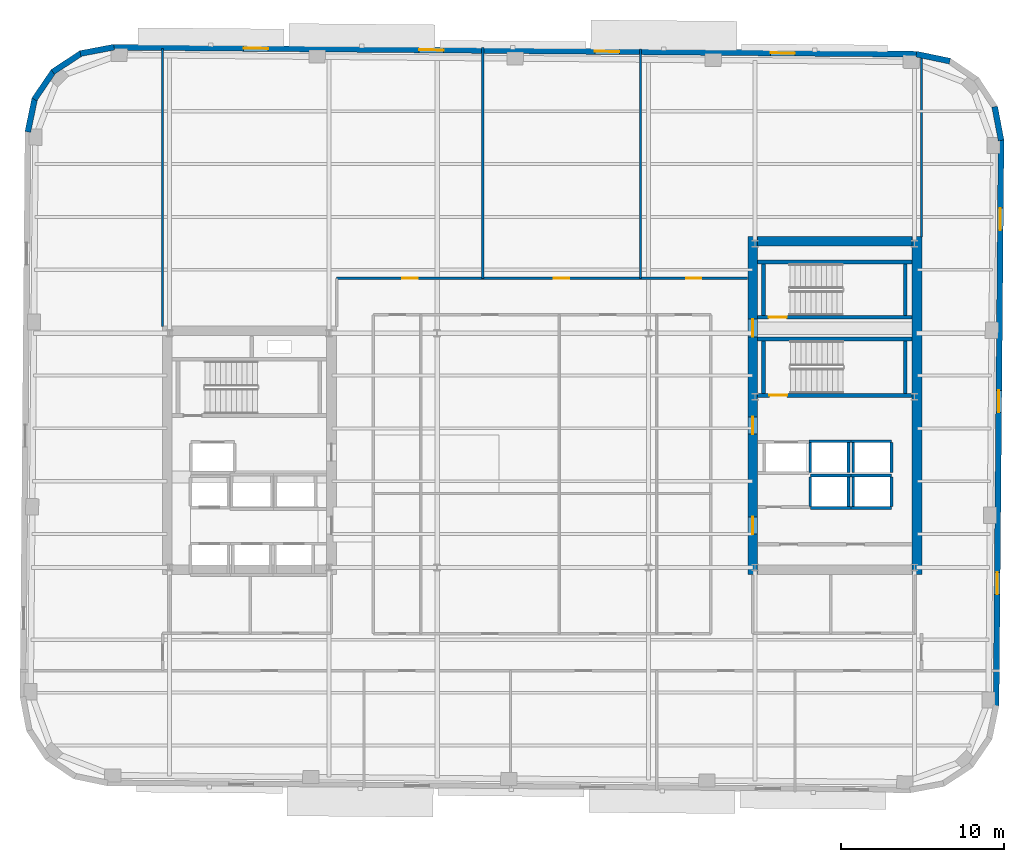
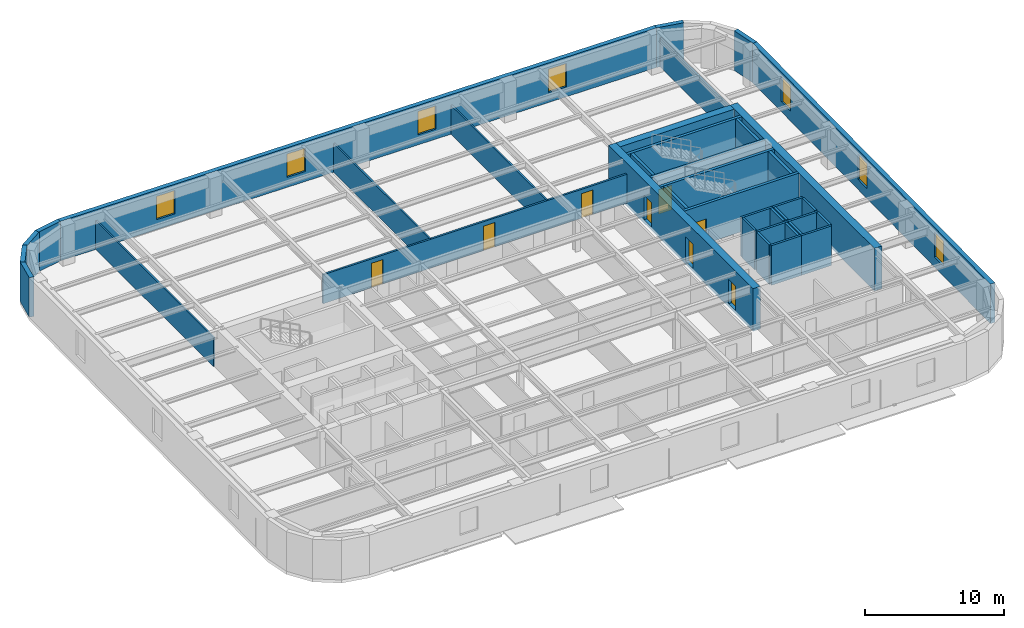
# One storey, part 6 of 11: 38 walls, 8 doors, 7 windows, 15 openings.
"""IFC4 building model written with IfcOpenShell, lengths in metres."""

from ifc_helpers import new_model, si_unit, direction, frame, frame_2d, origin, place, context, subcontext, project, spatial, rectangle, extrude, material, layer, layer_set, type_object, element, fill, save


model = new_model("IFC4")

# Units and contexts
model_context = context("Model", 3, precision=1e-05, world=origin(), true_north=direction((0.0, 1.0)))
body_context = subcontext(model_context, "Body", "Model", "MODEL_VIEW")
ifc_project = project(units=[si_unit("LENGTHUNIT", "METRE"), si_unit("AREAUNIT", "SQUARE_METRE"), si_unit("VOLUMEUNIT", "CUBIC_METRE"), si_unit("PLANEANGLEUNIT", "RADIAN"), si_unit("MASSUNIT", "GRAM", prefix="KILO")], contexts=[model_context])

# Site, building, storey
site_placement = place(None, origin())
site = spatial("IfcSite", under=ifc_project, at=site_placement, CompositionType="ELEMENT")
building_placement = place(site_placement, origin())
building = spatial("IfcBuilding", under=site, at=building_placement, Name="Kolvaren Arena Tower", CompositionType="ELEMENT")
storey_placement = place(building_placement, frame((0.0, 0.0, 173.449951171875)))
storey = spatial("IfcBuildingStorey", under=building, at=storey_placement, Name="L41", CompositionType="ELEMENT", Elevation=173.449951171875)

# Wall, openings, doors
ifc_material_1 = material(Name="Gypsum board acoustic assembly", Category="gypsum")
ifc_layer_1 = layer(ifc_material_1, 0.159912109375)
ifc_layer_set_1 = layer_set([ifc_layer_1], Name="Gypsum board acoustic assembly")
wall_type_1 = type_object("IfcWallType", Name="CORR-160", PredefinedType="PARTITIONING", material=ifc_layer_set_1)
wall_1_placement = place(storey_placement, frame((24.820068359375, 37.219970703125, 0.0), z_axis=(0.0, 0.0, 1.0), x_axis=(1.0, 0.0, 0.0)))
wall_1 = element("IfcWall", 1, at=wall_1_placement, inside=storey, type_object=wall_type_1, Name="Interior Partition Wall (L41)", PredefinedType="PARTITIONING", context=body_context, shape_type="SweptSolid", body=[
    extrude(rectangle(XDim=25.260009765625, YDim=0.159912109375, at=frame_2d((12.6298828125, 0.0))), origin(), (0.0, 0.0, 1.0), 2.5400390625),
])
opening_1_placement = place(wall_1_placement, frame((4.030029296875, 0.0, 0.0)))
opening_1 = element("IfcOpeningElement", 2, at=opening_1_placement, cuts=wall_1, Name="Opening D05", PredefinedType="OPENING", context=body_context, shape_type="SweptSolid", body=[
    extrude(rectangle(XDim=0.949951171875, YDim=2.14990234375, at=frame_2d((0.47509765625, 1.074951171875))), frame((0.0, 0.08984375, 0.0), z_axis=(0.0, -1.0, 0.0), x_axis=(1.0, 0.0, 0.0)), (0.0, 0.0, 1.0), 0.179931640625),
])
opening_2_placement = place(wall_1_placement, frame((13.35498046875, 0.0, 0.0)))
opening_2 = element("IfcOpeningElement", 3, at=opening_2_placement, cuts=wall_1, Name="Opening D05", PredefinedType="OPENING", context=body_context, shape_type="SweptSolid", body=[
    extrude(rectangle(XDim=0.949951171875, YDim=2.14990234375, at=frame_2d((0.47509765625, 1.074951171875))), frame((0.0, 0.08984375, 0.0), z_axis=(0.0, -1.0, 0.0), x_axis=(1.0, 0.0, 0.0)), (0.0, 0.0, 1.0), 0.179931640625),
])
opening_3_placement = place(wall_1_placement, frame((21.47998046875, 0.0, 0.0)))
opening_3 = element("IfcOpeningElement", 4, at=opening_3_placement, cuts=wall_1, Name="Opening D05", PredefinedType="OPENING", context=body_context, shape_type="SweptSolid", body=[
    extrude(rectangle(XDim=0.949951171875, YDim=2.14990234375, at=frame_2d((0.47509765625, 1.074951171875))), frame((0.0, 0.08984375, 0.0), z_axis=(0.0, -1.0, 0.0), x_axis=(1.0, 0.0, 0.0)), (0.0, 0.0, 1.0), 0.179931640625),
])
ifc_material_2 = material(Name="Solid-core oak acoustic office door", Category="wood")
door_type_1 = type_object("IfcDoorType", Name="DOOR-OF-095", OperationType="NOTDEFINED", PredefinedType="DOOR", material=ifc_material_2)
door_1_placement = place(opening_1_placement, origin())
door_1 = element("IfcDoor", 5, at=door_1_placement, inside=storey, type_object=door_type_1, Name="Breakout Pantry and Kitchen Door (L41)", OperationType="SINGLE_SWING_RIGHT", OverallHeight=2.14990234375, OverallWidth=0.949951171875, PredefinedType="DOOR", context=body_context, shape_type="SweptSolid", body=[
    extrude(rectangle(XDim=0.949951171875, YDim=2.14990234375, at=frame_2d((0.47509765625, 1.074951171875))), frame((0.0, 0.02490234375, 0.0), z_axis=(0.0, -1.0, 0.0), x_axis=(1.0, 0.0, 0.0)), (0.0, 0.0, 1.0), 0.050048828125),
])
fill(opening_1, door_1)
door_2_placement = place(opening_2_placement, origin())
door_2 = element("IfcDoor", 6, at=door_2_placement, inside=storey, type_object=door_type_1, Name="Open Plan Office Door (L41)", OperationType="SINGLE_SWING_LEFT", OverallHeight=2.14990234375, OverallWidth=0.949951171875, PredefinedType="DOOR", context=body_context, shape_type="SweptSolid", body=[
    extrude(rectangle(XDim=0.949951171875, YDim=2.14990234375, at=frame_2d((0.47509765625, 1.074951171875))), frame((0.0, 0.02490234375, 0.0), z_axis=(0.0, -1.0, 0.0), x_axis=(1.0, 0.0, 0.0)), (0.0, 0.0, 1.0), 0.050048828125),
])
fill(opening_2, door_2)
door_3_placement = place(opening_3_placement, origin())
door_3 = element("IfcDoor", 7, at=door_3_placement, inside=storey, type_object=door_type_1, Name="Training Seminar Room Door (L41)", OperationType="SINGLE_SWING_RIGHT", OverallHeight=2.14990234375, OverallWidth=0.949951171875, PredefinedType="DOOR", context=body_context, shape_type="SweptSolid", body=[
    extrude(rectangle(XDim=0.949951171875, YDim=2.14990234375, at=frame_2d((0.47509765625, 1.074951171875))), frame((0.0, 0.02490234375, 0.0), z_axis=(0.0, -1.0, 0.0), x_axis=(1.0, 0.0, 0.0)), (0.0, 0.0, 1.0), 0.050048828125),
])
fill(opening_3, door_3)

ifc_material_3 = material(Name="Concrete 60 MPa", Category="concrete")
ifc_layer_2 = layer(ifc_material_3, 0.60009765625)
ifc_layer_set_2 = layer_set([ifc_layer_2], Name="Concrete 60 MPa")
wall_type_2 = type_object("IfcWallType", Name="CWALL-600", PredefinedType="SHEAR", material=ifc_layer_set_2)
wall_2_placement = place(storey_placement, frame((50.39990234375, 19.0, -0.27001953125), z_axis=(0.0, 0.0, 1.0), x_axis=(0.0, 1.0, 0.0)))
wall_2 = element("IfcWall", 8, at=wall_2_placement, inside=storey, type_object=wall_type_2, Name="Core Shear Wall EC-WEST (L41)", PredefinedType="SHEAR", context=body_context, shape_type="SweptSolid", body=[
    extrude(rectangle(XDim=20.800048828125, YDim=0.60009765625, at=frame_2d((10.39990234375, 0.0))), origin(), (0.0, 0.0, 1.0), 3.75),
])
opening_4_placement = place(wall_2_placement, frame((2.5, 0.0, 0.27001953125)))
opening_4 = element("IfcOpeningElement", 9, at=opening_4_placement, cuts=wall_2, Name="Opening D04", PredefinedType="OPENING", context=body_context, shape_type="SweptSolid", body=[
    extrude(rectangle(XDim=1.050048828125, YDim=2.14990234375, at=frame_2d((0.52490234375, 1.074951171875))), frame((0.0, 0.31005859375, 0.0), z_axis=(0.0, -1.0, 0.0), x_axis=(1.0, 0.0, 0.0)), (0.0, 0.0, 1.0), 0.6201171875),
])
opening_5_placement = place(wall_2_placement, frame((8.64990234375, 0.0, 0.27001953125)))
opening_5 = element("IfcOpeningElement", 10, at=opening_5_placement, cuts=wall_2, Name="Opening D04", PredefinedType="OPENING", context=body_context, shape_type="SweptSolid", body=[
    extrude(rectangle(XDim=1.050048828125, YDim=2.14990234375, at=frame_2d((0.52490234375, 1.074951171875))), frame((0.0, 0.31005859375, 0.0), z_axis=(0.0, -1.0, 0.0), x_axis=(1.0, 0.0, 0.0)), (0.0, 0.0, 1.0), 0.6201171875),
])
opening_6_placement = place(wall_2_placement, frame((14.6201171875, 0.0, 0.27001953125)))
opening_6 = element("IfcOpeningElement", 11, at=opening_6_placement, cuts=wall_2, Name="Opening D03", PredefinedType="OPENING", context=body_context, shape_type="SweptSolid", body=[
    extrude(rectangle(XDim=1.10009765625, YDim=2.14990234375, at=frame_2d((0.550048828125, 1.074951171875))), frame((0.0, 0.31005859375, 0.0), z_axis=(0.0, -1.0, 0.0), x_axis=(1.0, 0.0, 0.0)), (0.0, 0.0, 1.0), 0.6201171875),
])
ifc_material_4 = material(Name="Fire-rated steel lobby door", Category="steel")
door_type_2 = type_object("IfcDoorType", Name="DOOR-FF-105", OperationType="NOTDEFINED", PredefinedType="DOOR", material=ifc_material_4)
door_4_placement = place(opening_4_placement, origin())
door_4 = element("IfcDoor", 12, at=door_4_placement, inside=storey, type_object=door_type_2, Name="East Lift Lobby Fire Door (L41)", OperationType="SINGLE_SWING_RIGHT", OverallHeight=2.14990234375, OverallWidth=1.050048828125, PredefinedType="DOOR", context=body_context, shape_type="SweptSolid", body=[
    extrude(rectangle(XDim=1.050048828125, YDim=2.14990234375, at=frame_2d((0.52490234375, 1.074951171875))), frame((0.0, 0.02490234375, 0.0), z_axis=(0.0, -1.0, 0.0), x_axis=(1.0, 0.0, 0.0)), (0.0, 0.0, 1.0), 0.050048828125),
])
fill(opening_4, door_4)
door_5_placement = place(opening_5_placement, origin())
door_5 = element("IfcDoor", 13, at=door_5_placement, inside=storey, type_object=door_type_2, Name="East Firefighter Vestibule Door (L41)", OperationType="SINGLE_SWING_LEFT", OverallHeight=2.14990234375, OverallWidth=1.050048828125, PredefinedType="DOOR", context=body_context, shape_type="SweptSolid", body=[
    extrude(rectangle(XDim=1.050048828125, YDim=2.14990234375, at=frame_2d((0.52490234375, 1.074951171875))), frame((0.0, 0.02490234375, 0.0), z_axis=(0.0, -1.0, 0.0), x_axis=(1.0, 0.0, 0.0)), (0.0, 0.0, 1.0), 0.050048828125),
])
fill(opening_5, door_5)
ifc_material_5 = material(Name="Fire-rated steel exit stair door", Category="steel")
door_type_3 = type_object("IfcDoorType", Name="DOOR-ST-110", OperationType="NOTDEFINED", PredefinedType="DOOR", material=ifc_material_5)
door_6_placement = place(opening_6_placement, origin())
door_6 = element("IfcDoor", 14, at=door_6_placement, inside=storey, type_object=door_type_3, Name="Stair ST-E2 Vestibule Fire Door (L41)", OperationType="SINGLE_SWING_LEFT", OverallHeight=2.14990234375, OverallWidth=1.10009765625, PredefinedType="DOOR", context=body_context, shape_type="SweptSolid", body=[
    extrude(rectangle(XDim=1.10009765625, YDim=2.14990234375, at=frame_2d((0.550048828125, 1.074951171875))), frame((0.0, 0.02490234375, 0.0), z_axis=(0.0, -1.0, 0.0), x_axis=(1.0, 0.0, 0.0)), (0.0, 0.0, 1.0), 0.050048828125),
])
fill(opening_6, door_6)

# Walls
wall_3_placement = place(storey_placement, frame((60.5, 19.0, -0.27001953125), z_axis=(0.0, 0.0, 1.0), x_axis=(0.0, 1.0, 0.0)))
element("IfcWall", 15, at=wall_3_placement, inside=storey, type_object=wall_type_2, Name="Core Shear Wall EC-EAST (L41)", PredefinedType="SHEAR", context=body_context, shape_type="SweptSolid", body=[
    extrude(rectangle(XDim=20.800048828125, YDim=0.60009765625, at=frame_2d((10.39990234375, 0.0))), origin(), (0.0, 0.0, 1.0), 3.75),
])
wall_4_placement = place(storey_placement, frame((50.699951171875, 39.5, -0.27001953125), z_axis=(0.0, 0.0, 1.0), x_axis=(1.0, 0.0, 0.0)))
element("IfcWall", 16, at=wall_4_placement, inside=storey, type_object=wall_type_2, Name="Core Shear Wall EC-NORTH (L41)", PredefinedType="SHEAR", context=body_context, shape_type="SweptSolid", body=[
    extrude(rectangle(XDim=9.5, YDim=0.60009765625, at=frame_2d((4.75, 0.0))), origin(), (0.0, 0.0, 1.0), 3.75),
])

# Wall, openings, windows
ifc_material_6 = material(Name="Precast concrete C50/60", Category="concrete")
ifc_layer_3 = layer(ifc_material_6, 0.360107421875)
ifc_layer_set_3 = layer_set([ifc_layer_3], Name="Precast concrete C50/60")
wall_type_3 = type_object("IfcWallType", Name="EXT-PIER2", PredefinedType="SOLIDWALL", material=ifc_layer_set_3)
wall_5_placement = place(storey_placement, frame((65.670654296875, 45.73828125, 0.0), z_axis=(0.0, 0.0, 1.0), x_axis=(-0.008727348535, -0.999961915969, 0.0)))
wall_5 = element("IfcWall", 17, at=wall_5_placement, inside=storey, type_object=wall_type_3, Name="Exterior Precast Masonry-Frame Wall (L41)", PredefinedType="SOLIDWALL", context=body_context, shape_type="SweptSolid", body=[
    extrude(rectangle(XDim=34.7998046875, YDim=0.360107421875, at=frame_2d((17.39990234375, 0.0))), origin(), (0.0, 0.0, 1.0), 3.47998046875),
])
opening_7_placement = place(wall_5_placement, frame((4.199951171875, 0.0, 0.8798828125)))
opening_7 = element("IfcOpeningElement", 18, at=opening_7_placement, cuts=wall_5, Name="Opening W04", PredefinedType="OPENING", context=body_context, shape_type="SweptSolid", body=[
    extrude(rectangle(XDim=1.35009765625, YDim=2.199951171875, at=frame_2d((0.675048828125, 1.10009765625))), frame((0.0, 0.18994140625, 0.0), z_axis=(0.0, -1.0, 0.0), x_axis=(1.0, 0.0, 0.0)), (0.0, 0.0, 1.0), 0.380126953125),
])
opening_8_placement = place(wall_5_placement, frame((15.39990234375, 0.0, 0.8798828125)))
opening_8 = element("IfcOpeningElement", 19, at=opening_8_placement, cuts=wall_5, Name="Opening W04", PredefinedType="OPENING", context=body_context, shape_type="SweptSolid", body=[
    extrude(rectangle(XDim=1.35009765625, YDim=2.199951171875, at=frame_2d((0.675048828125, 1.10009765625))), frame((0.0, 0.18994140625, 0.0), z_axis=(0.0, -1.0, 0.0), x_axis=(1.0, 0.0, 0.0)), (0.0, 0.0, 1.0), 0.380126953125),
])
opening_9_placement = place(wall_5_placement, frame((26.60009765625, 0.0, 0.8798828125)))
opening_9 = element("IfcOpeningElement", 20, at=opening_9_placement, cuts=wall_5, Name="Opening W04", PredefinedType="OPENING", context=body_context, shape_type="SweptSolid", body=[
    extrude(rectangle(XDim=1.35009765625, YDim=2.199951171875, at=frame_2d((0.675048828125, 1.10009765625))), frame((0.0, 0.18994140625, 0.0), z_axis=(0.0, -1.0, 0.0), x_axis=(1.0, 0.0, 0.0)), (0.0, 0.0, 1.0), 0.380126953125),
])
ifc_material_7 = material(Name="Triple-glazed curved-facet corner window", Category="glass")
window_type_1 = type_object("IfcWindowType", Name="WIN-CRN-A", PartitioningType="SINGLE_PANEL", PredefinedType="WINDOW", material=ifc_material_7)
window_1_placement = place(opening_7_placement, origin())
window_1 = element("IfcWindow", 21, at=window_1_placement, inside=storey, type_object=window_type_1, Name="End-Wall Punched Window (L41)", OverallHeight=2.199951171875, OverallWidth=1.35009765625, PartitioningType="SINGLE_PANEL", PredefinedType="WINDOW", context=body_context, shape_type="SweptSolid", body=[
    extrude(rectangle(XDim=1.35009765625, YDim=2.199951171875, at=frame_2d((0.675048828125, 1.10009765625))), frame((0.0, 0.030029296875, 0.0), z_axis=(0.0, -1.0, 0.0), x_axis=(1.0, 0.0, 0.0)), (0.0, 0.0, 1.0), 0.06005859375),
])
fill(opening_7, window_1)
window_2_placement = place(opening_8_placement, origin())
window_2 = element("IfcWindow", 22, at=window_2_placement, inside=storey, type_object=window_type_1, Name="End-Wall Punched Window (L41)", OverallHeight=2.199951171875, OverallWidth=1.35009765625, PartitioningType="SINGLE_PANEL", PredefinedType="WINDOW", context=body_context, shape_type="SweptSolid", body=[
    extrude(rectangle(XDim=1.35009765625, YDim=2.199951171875, at=frame_2d((0.675048828125, 1.10009765625))), frame((0.0, 0.030029296875, 0.0), z_axis=(0.0, -1.0, 0.0), x_axis=(1.0, 0.0, 0.0)), (0.0, 0.0, 1.0), 0.06005859375),
])
fill(opening_8, window_2)
window_3_placement = place(opening_9_placement, origin())
window_3 = element("IfcWindow", 23, at=window_3_placement, inside=storey, type_object=window_type_1, Name="End-Wall Punched Window (L41)", OverallHeight=2.199951171875, OverallWidth=1.35009765625, PartitioningType="SINGLE_PANEL", PredefinedType="WINDOW", context=body_context, shape_type="SweptSolid", body=[
    extrude(rectangle(XDim=1.35009765625, YDim=2.199951171875, at=frame_2d((0.675048828125, 1.10009765625))), frame((0.0, 0.030029296875, 0.0), z_axis=(0.0, -1.0, 0.0), x_axis=(1.0, 0.0, 0.0)), (0.0, 0.0, 1.0), 0.06005859375),
])
fill(opening_9, window_3)

# Walls
wall_6_placement = place(storey_placement, frame((65.281005859375, 47.773193359375, 0.0), z_axis=(0.0, 0.0, 1.0), x_axis=(0.186435855703, -0.98246713518, 0.0)))
element("IfcWall", 24, at=wall_6_placement, inside=storey, type_object=wall_type_3, Name="Exterior Precast Masonry-Frame Wall (L41)", PredefinedType="SOLIDWALL", context=body_context, shape_type="SweptSolid", body=[
    extrude(rectangle(XDim=2.10693359375, YDim=0.360107421875, at=frame_2d((1.053466796875, 0.0))), origin(), (0.0, 0.0, 1.0), 3.47998046875),
])
wall_7_placement = place(storey_placement, frame((60.461181640625, 51.00732421875, 0.0), z_axis=(0.0, 0.0, 1.0), x_axis=(0.979059388908, -0.203574833883, 0.0)))
element("IfcWall", 25, at=wall_7_placement, inside=storey, type_object=wall_type_3, Name="Exterior Precast Masonry-Frame Wall (L41)", PredefinedType="SOLIDWALL", context=body_context, shape_type="SweptSolid", body=[
    extrude(rectangle(XDim=2.107177734375, YDim=0.360107421875, at=frame_2d((1.0537109375, 0.0))), origin(), (0.0, 0.0, 1.0), 3.47998046875),
])

# Wall, openings, windows
wall_8_placement = place(storey_placement, frame((11.098388671875, 51.434814453125, 0.0), z_axis=(0.0, 0.0, 1.0), x_axis=(0.99996191194, -0.008727810138, 0.0)))
wall_8 = element("IfcWall", 26, at=wall_8_placement, inside=storey, type_object=wall_type_3, Name="Exterior Precast Masonry-Frame Wall (L41)", PredefinedType="SOLIDWALL", context=body_context, shape_type="SweptSolid", body=[
    extrude(rectangle(XDim=49.39990234375, YDim=0.360107421875, at=frame_2d((24.699951171875, 0.0))), origin(), (0.0, 0.0, 1.0), 3.47998046875),
])
opening_10_placement = place(wall_8_placement, frame((8.0, 0.0, 0.8798828125)))
opening_10 = element("IfcOpeningElement", 27, at=opening_10_placement, cuts=wall_8, Name="Opening W03", PredefinedType="OPENING", context=body_context, shape_type="SweptSolid", body=[
    extrude(rectangle(XDim=1.5, YDim=2.050048828125, at=frame_2d((0.75, 1.02490234375))), frame((0.0, 0.18994140625, 0.0), z_axis=(0.0, -1.0, 0.0), x_axis=(1.0, 0.0, 0.0)), (0.0, 0.0, 1.0), 0.380126953125),
])
opening_11_placement = place(wall_8_placement, frame((18.800048828125, 0.0, 0.8798828125)))
opening_11 = element("IfcOpeningElement", 28, at=opening_11_placement, cuts=wall_8, Name="Opening W03", PredefinedType="OPENING", context=body_context, shape_type="SweptSolid", body=[
    extrude(rectangle(XDim=1.5, YDim=2.050048828125, at=frame_2d((0.75, 1.02490234375))), frame((0.0, 0.18994140625, 0.0), z_axis=(0.0, -1.0, 0.0), x_axis=(1.0, 0.0, 0.0)), (0.0, 0.0, 1.0), 0.380126953125),
])
opening_12_placement = place(wall_8_placement, frame((29.60009765625, 0.0, 0.8798828125)))
opening_12 = element("IfcOpeningElement", 29, at=opening_12_placement, cuts=wall_8, Name="Opening W03", PredefinedType="OPENING", context=body_context, shape_type="SweptSolid", body=[
    extrude(rectangle(XDim=1.5, YDim=2.050048828125, at=frame_2d((0.75, 1.02490234375))), frame((0.0, 0.18994140625, 0.0), z_axis=(0.0, -1.0, 0.0), x_axis=(1.0, 0.0, 0.0)), (0.0, 0.0, 1.0), 0.380126953125),
])
opening_13_placement = place(wall_8_placement, frame((40.39990234375, 0.0, 0.8798828125)))
opening_13 = element("IfcOpeningElement", 30, at=opening_13_placement, cuts=wall_8, Name="Opening W03", PredefinedType="OPENING", context=body_context, shape_type="SweptSolid", body=[
    extrude(rectangle(XDim=1.5, YDim=2.050048828125, at=frame_2d((0.75, 1.02490234375))), frame((0.0, 0.18994140625, 0.0), z_axis=(0.0, -1.0, 0.0), x_axis=(1.0, 0.0, 0.0)), (0.0, 0.0, 1.0), 0.380126953125),
])
ifc_material_8 = material(Name="Triple-glazed low-E aluminium window", Category="aluminium")
window_type_2 = type_object("IfcWindowType", Name="WIN-OFF-C", PartitioningType="SINGLE_PANEL", PredefinedType="WINDOW", material=ifc_material_8)
window_4_placement = place(opening_10_placement, origin())
window_4 = element("IfcWindow", 31, at=window_4_placement, inside=storey, type_object=window_type_2, Name="Punched Precast-Pier Window (L41)", OverallHeight=2.050048828125, OverallWidth=1.5, PartitioningType="SINGLE_PANEL", PredefinedType="WINDOW", context=body_context, shape_type="SweptSolid", body=[
    extrude(rectangle(XDim=1.5, YDim=2.050048828125, at=frame_2d((0.75, 1.02490234375))), frame((0.0, 0.030029296875, 0.0), z_axis=(0.0, -1.0, 0.0), x_axis=(1.0, 0.0, 0.0)), (0.0, 0.0, 1.0), 0.06005859375),
])
fill(opening_10, window_4)
window_5_placement = place(opening_11_placement, origin())
window_5 = element("IfcWindow", 32, at=window_5_placement, inside=storey, type_object=window_type_2, Name="Punched Precast-Pier Window (L41)", OverallHeight=2.050048828125, OverallWidth=1.5, PartitioningType="SINGLE_PANEL", PredefinedType="WINDOW", context=body_context, shape_type="SweptSolid", body=[
    extrude(rectangle(XDim=1.5, YDim=2.050048828125, at=frame_2d((0.75, 1.02490234375))), frame((0.0, 0.030029296875, 0.0), z_axis=(0.0, -1.0, 0.0), x_axis=(1.0, 0.0, 0.0)), (0.0, 0.0, 1.0), 0.06005859375),
])
fill(opening_11, window_5)
window_6_placement = place(opening_12_placement, origin())
window_6 = element("IfcWindow", 33, at=window_6_placement, inside=storey, type_object=window_type_2, Name="Punched Precast-Pier Window (L41)", OverallHeight=2.050048828125, OverallWidth=1.5, PartitioningType="SINGLE_PANEL", PredefinedType="WINDOW", context=body_context, shape_type="SweptSolid", body=[
    extrude(rectangle(XDim=1.5, YDim=2.050048828125, at=frame_2d((0.75, 1.02490234375))), frame((0.0, 0.030029296875, 0.0), z_axis=(0.0, -1.0, 0.0), x_axis=(1.0, 0.0, 0.0)), (0.0, 0.0, 1.0), 0.06005859375),
])
fill(opening_12, window_6)
window_7_placement = place(opening_13_placement, origin())
window_7 = element("IfcWindow", 34, at=window_7_placement, inside=storey, type_object=window_type_2, Name="Punched Precast-Pier Window (L41)", OverallHeight=2.050048828125, OverallWidth=1.5, PartitioningType="SINGLE_PANEL", PredefinedType="WINDOW", context=body_context, shape_type="SweptSolid", body=[
    extrude(rectangle(XDim=1.5, YDim=2.050048828125, at=frame_2d((0.75, 1.02490234375))), frame((0.0, 0.030029296875, 0.0), z_axis=(0.0, -1.0, 0.0), x_axis=(1.0, 0.0, 0.0)), (0.0, 0.0, 1.0), 0.06005859375),
])
fill(opening_13, window_7)

# Walls
wall_9_placement = place(storey_placement, frame((9.0634765625, 51.044921875, 0.0), z_axis=(0.0, 0.0, 1.0), x_axis=(0.982445905584, 0.186547695246, 0.0)))
element("IfcWall", 35, at=wall_9_placement, inside=storey, type_object=wall_type_3, Name="Exterior Precast Masonry-Frame Wall (L41)", PredefinedType="SOLIDWALL", context=body_context, shape_type="SweptSolid", body=[
    extrude(rectangle(XDim=2.107177734375, YDim=0.360107421875, at=frame_2d((1.0537109375, 0.0))), origin(), (0.0, 0.0, 1.0), 3.47998046875),
])
for number, where, z_axis, x_axis, name in (
    (36, (7.36669921875, 49.916015625, 0.0), (0.0, 0.0, 1.0), (0.836268756678, 0.548319766745, 0.0), "Exterior Precast Masonry-Frame Wall (L41)"),
    (37, (6.23095703125, 48.223388671875, 0.0), (0.0, 0.0, 1.0), (0.56277581689, 0.826609569219, 0.0), "Exterior Precast Masonry-Frame Wall (L41)"),
    (38, (5.8291015625, 46.225341796875, 0.0), (0.0, 0.0, 1.0), (0.203709000552, 0.979031482177, 0.0), "Exterior Precast Masonry-Frame Wall (L41)"),
):
    element("IfcWall", number, at=place(storey_placement, frame(where, z_axis=z_axis, x_axis=x_axis)), inside=storey, type_object=wall_type_3, Name=name, PredefinedType="SOLIDWALL", context=body_context, shape_type="SweptSolid", body=[
        extrude(rectangle(XDim=2.10693359375, YDim=0.360107421875, at=frame_2d((1.053466796875, 0.0))), origin(), (0.0, 0.0, 1.0), 3.47998046875),
    ])
ifc_material_9 = material(Name="Gypsum board partition assembly", Category="gypsum")
ifc_layer_4 = layer(ifc_material_9, 0.135009765625)
ifc_layer_set_4 = layer_set([ifc_layer_4], Name="Gypsum board partition assembly")
wall_type_4 = type_object("IfcWallType", Name="PART-135", PredefinedType="PARTITIONING", material=ifc_layer_set_4)
wall_10_placement = place(storey_placement, frame((33.800048828125, 37.219970703125, 0.0), z_axis=(0.0, 0.0, 1.0), x_axis=(0.0, 1.0, 0.0)))
element("IfcWall", 39, at=wall_10_placement, inside=storey, type_object=wall_type_4, Name="Interior Partition Wall (L41)", PredefinedType="PARTITIONING", context=body_context, shape_type="SweptSolid", body=[
    extrude(rectangle(XDim=14.196533203125, YDim=0.135009765625, at=frame_2d((7.09814453125, 0.0))), origin(), (0.0, 0.0, 1.0), 2.5400390625),
])
wall_11_placement = place(storey_placement, frame((43.5, 37.219970703125, 0.0), z_axis=(0.0, 0.0, 1.0), x_axis=(0.0, 1.0, 0.0)))
element("IfcWall", 40, at=wall_11_placement, inside=storey, type_object=wall_type_4, Name="Interior Partition Wall (L41)", PredefinedType="PARTITIONING", context=body_context, shape_type="SweptSolid", body=[
    extrude(rectangle(XDim=14.11181640625, YDim=0.135009765625, at=frame_2d((7.055908203125, 0.0))), origin(), (0.0, 0.0, 1.0), 2.5400390625),
])
wall_12_placement = place(storey_placement, frame((14.1201171875, 34.25, 0.0), z_axis=(0.0, 0.0, 1.0), x_axis=(0.0, 1.0, 0.0)))
element("IfcWall", 41, at=wall_12_placement, inside=storey, type_object=wall_type_4, Name="Interior Partition Wall (L41)", PredefinedType="PARTITIONING", context=body_context, shape_type="SweptSolid", body=[
    extrude(rectangle(XDim=17.098388671875, YDim=0.135009765625, at=frame_2d((8.54931640625, 0.0))), origin(), (0.0, 0.0, 1.0), 2.5400390625),
])
wall_13_placement = place(storey_placement, frame((60.780029296875, 39.75, 0.0), z_axis=(0.0, 0.0, 1.0), x_axis=(0.0, 1.0, 0.0)))
element("IfcWall", 42, at=wall_13_placement, inside=storey, type_object=wall_type_4, Name="Interior Partition Wall (L41)", PredefinedType="PARTITIONING", context=body_context, shape_type="SweptSolid", body=[
    extrude(rectangle(XDim=11.1298828125, YDim=0.135009765625, at=frame_2d((5.56494140625, 0.0))), origin(), (0.0, 0.0, 1.0), 2.5400390625),
])

# Wall, opening, door
ifc_material_10 = material(Name="Concrete 45 MPa", Category="concrete")
ifc_layer_5 = layer(ifc_material_10, 0.25)
ifc_layer_set_5 = layer_set([ifc_layer_5], Name="Concrete 45 MPa")
wall_type_5 = type_object("IfcWallType", Name="SHAFT-250", PredefinedType="SOLIDWALL", material=ifc_layer_set_5)
wall_14_placement = place(storey_placement, frame((60.199951171875, 30.030029296875, 0.0), z_axis=(0.0, 0.0, 1.0), x_axis=(-1.0, 0.0, 0.0)))
wall_14 = element("IfcWall", 43, at=wall_14_placement, inside=storey, type_object=wall_type_5, Name="Core Shaft Wall (L41)", PredefinedType="SOLIDWALL", context=body_context, shape_type="SweptSolid", body=[
    extrude(rectangle(XDim=9.5, YDim=0.239990234375, at=frame_2d((4.75, 0.0))), origin(), (0.0, 0.0, 1.0), 3.47998046875),
])
opening_14_placement = place(wall_14_placement, frame((7.679931640625, 0.0, 0.0)))
opening_14 = element("IfcOpeningElement", 44, at=opening_14_placement, cuts=wall_14, Name="Opening D03", PredefinedType="OPENING", context=body_context, shape_type="SweptSolid", body=[
    extrude(rectangle(XDim=1.10009765625, YDim=2.14990234375, at=frame_2d((0.550048828125, 1.074951171875))), frame((0.0, 0.1298828125, 0.0), z_axis=(0.0, -1.0, 0.0), x_axis=(1.0, 0.0, 0.0)), (0.0, 0.0, 1.0), 0.260009765625),
])
door_7_placement = place(opening_14_placement, origin())
door_7 = element("IfcDoor", 45, at=door_7_placement, inside=storey, type_object=door_type_3, Name="Stair ST-E1 Fire Door (L41)", OperationType="SINGLE_SWING_LEFT", OverallHeight=2.14990234375, OverallWidth=1.10009765625, PredefinedType="DOOR", context=body_context, shape_type="SweptSolid", body=[
    extrude(rectangle(XDim=1.10009765625, YDim=2.14990234375, at=frame_2d((0.550048828125, 1.074951171875))), frame((0.0, 0.02490234375, 0.0), z_axis=(0.0, -1.0, 0.0), x_axis=(1.0, 0.0, 0.0)), (0.0, 0.0, 1.0), 0.050048828125),
])
fill(opening_14, door_7)

# Walls
wall_15_placement = place(storey_placement, frame((50.699951171875, 33.5, 0.0), z_axis=(0.0, 0.0, 1.0), x_axis=(1.0, 0.0, 0.0)))
element("IfcWall", 46, at=wall_15_placement, inside=storey, type_object=wall_type_5, Name="Core Shaft Wall (L41)", PredefinedType="SOLIDWALL", context=body_context, shape_type="SweptSolid", body=[
    extrude(rectangle(XDim=9.5, YDim=0.239990234375, at=frame_2d((4.75, 0.0))), origin(), (0.0, 0.0, 1.0), 3.47998046875),
])
for number, where, z_axis, x_axis, name in (
    (47, (51.06005859375, 30.14990234375, 0.0), (0.0, 0.0, 1.0), (0.0, 1.0, 0.0), "Core Shaft Wall (L41)"),
    (48, (59.780029296875, 30.14990234375, 0.0), (0.0, 0.0, 1.0), (0.0, 1.0, 0.0), "Core Shaft Wall (L41)"),
):
    element("IfcWall", number, at=place(storey_placement, frame(where, z_axis=z_axis, x_axis=x_axis)), inside=storey, type_object=wall_type_5, Name=name, PredefinedType="SOLIDWALL", context=body_context, shape_type="SweptSolid", body=[
        extrude(rectangle(XDim=3.22998046875, YDim=0.239990234375, at=frame_2d((1.614990234375, 0.0))), origin(), (0.0, 0.0, 1.0), 3.47998046875),
    ])

# Wall, opening, door
wall_16_placement = place(storey_placement, frame((60.199951171875, 34.830078125, 0.0), z_axis=(0.0, 0.0, 1.0), x_axis=(-1.0, 0.0, 0.0)))
wall_16 = element("IfcWall", 49, at=wall_16_placement, inside=storey, type_object=wall_type_5, Name="Core Shaft Wall (L41)", PredefinedType="SOLIDWALL", context=body_context, shape_type="SweptSolid", body=[
    extrude(rectangle(XDim=9.5, YDim=0.239990234375, at=frame_2d((4.75, 0.0))), origin(), (0.0, 0.0, 1.0), 3.47998046875),
])
opening_15_placement = place(wall_16_placement, frame((7.719970703125, 0.0, 0.0)))
opening_15 = element("IfcOpeningElement", 50, at=opening_15_placement, cuts=wall_16, Name="Opening D03", PredefinedType="OPENING", context=body_context, shape_type="SweptSolid", body=[
    extrude(rectangle(XDim=1.10009765625, YDim=2.14990234375, at=frame_2d((0.550048828125, 1.074951171875))), frame((0.0, 0.1298828125, 0.0), z_axis=(0.0, -1.0, 0.0), x_axis=(1.0, 0.0, 0.0)), (0.0, 0.0, 1.0), 0.260009765625),
])
door_8_placement = place(opening_15_placement, origin())
door_8 = element("IfcDoor", 51, at=door_8_placement, inside=storey, type_object=door_type_3, Name="Stair ST-E2 Fire Door (L41)", OperationType="SINGLE_SWING_LEFT", OverallHeight=2.14990234375, OverallWidth=1.10009765625, PredefinedType="DOOR", context=body_context, shape_type="SweptSolid", body=[
    extrude(rectangle(XDim=1.10009765625, YDim=2.14990234375, at=frame_2d((0.550048828125, 1.074951171875))), frame((0.0, 0.02490234375, 0.0), z_axis=(0.0, -1.0, 0.0), x_axis=(1.0, 0.0, 0.0)), (0.0, 0.0, 1.0), 0.050048828125),
])
fill(opening_15, door_8)

# Walls
wall_17_placement = place(storey_placement, frame((50.699951171875, 38.219970703125, 0.0), z_axis=(0.0, 0.0, 1.0), x_axis=(1.0, 0.0, 0.0)))
element("IfcWall", 52, at=wall_17_placement, inside=storey, type_object=wall_type_5, Name="Core Shaft Wall (L41)", PredefinedType="SOLIDWALL", context=body_context, shape_type="SweptSolid", body=[
    extrude(rectangle(XDim=9.5, YDim=0.239990234375, at=frame_2d((4.75, 0.0))), origin(), (0.0, 0.0, 1.0), 3.47998046875),
])
for number, where, z_axis, x_axis, name in (
    (53, (51.06005859375, 34.949951171875, 0.0), (0.0, 0.0, 1.0), (0.0, 1.0, 0.0), "Core Shaft Wall (L41)"),
    (54, (59.780029296875, 34.949951171875, 0.0), (0.0, 0.0, 1.0), (0.0, 1.0, 0.0), "Core Shaft Wall (L41)"),
):
    element("IfcWall", number, at=place(storey_placement, frame(where, z_axis=z_axis, x_axis=x_axis)), inside=storey, type_object=wall_type_5, Name=name, PredefinedType="SOLIDWALL", context=body_context, shape_type="SweptSolid", body=[
        extrude(rectangle(XDim=3.150146484375, YDim=0.239990234375, at=frame_2d((1.5751953125, 0.0))), origin(), (0.0, 0.0, 1.0), 3.47998046875),
    ])
for number, where, z_axis, x_axis, name in (
    (55, (53.93994140625, 25.10498046875, 0.0), (0.0, 0.0, 1.0), (1.0, 0.0, 0.0), "Core Shaft Wall (L41)"),
    (56, (53.93994140625, 23.094970703125, 0.0), (0.0, 0.0, 1.0), (1.0, 0.0, 0.0), "Core Shaft Wall (L41)"),
):
    element("IfcWall", number, at=place(storey_placement, frame(where, z_axis=z_axis, x_axis=x_axis)), inside=storey, type_object=wall_type_5, Name=name, PredefinedType="SOLIDWALL", context=body_context, shape_type="SweptSolid", body=[
        extrude(rectangle(XDim=2.5, YDim=0.179931640625, at=frame_2d((1.25, 0.0))), origin(), (0.0, 0.0, 1.0), 3.47998046875),
    ])
for number, where, z_axis, x_axis, name in (
    (57, (53.93994140625, 23.18505859375, 0.0), (0.0, 0.0, 1.0), (0.0, 1.0, 0.0), "Core Shaft Wall (L41)"),
    (58, (56.300048828125, 23.18505859375, 0.0), (0.0, 0.0, 1.0), (0.0, 1.0, 0.0), "Core Shaft Wall (L41)"),
):
    element("IfcWall", number, at=place(storey_placement, frame(where, z_axis=z_axis, x_axis=x_axis)), inside=storey, type_object=wall_type_5, Name=name, PredefinedType="SOLIDWALL", context=body_context, shape_type="SweptSolid", body=[
        extrude(rectangle(XDim=1.829833984375, YDim=0.179931640625, at=frame_2d((0.9150390625, 0.0))), origin(), (0.0, 0.0, 1.0), 3.47998046875),
    ])
for number, where, z_axis, x_axis, name in (
    (59, (56.43994140625, 25.10498046875, 0.0), (0.0, 0.0, 1.0), (1.0, 0.0, 0.0), "Core Shaft Wall (L41)"),
    (60, (56.43994140625, 23.094970703125, 0.0), (0.0, 0.0, 1.0), (1.0, 0.0, 0.0), "Core Shaft Wall (L41)"),
):
    element("IfcWall", number, at=place(storey_placement, frame(where, z_axis=z_axis, x_axis=x_axis)), inside=storey, type_object=wall_type_5, Name=name, PredefinedType="SOLIDWALL", context=body_context, shape_type="SweptSolid", body=[
        extrude(rectangle(XDim=2.5, YDim=0.179931640625, at=frame_2d((1.25, 0.0))), origin(), (0.0, 0.0, 1.0), 3.47998046875),
    ])
for number, where, z_axis, x_axis, name in (
    (61, (56.580078125, 23.18505859375, 0.0), (0.0, 0.0, 1.0), (0.0, 1.0, 0.0), "Core Shaft Wall (L41)"),
    (62, (58.93994140625, 23.18505859375, 0.0), (0.0, 0.0, 1.0), (0.0, 1.0, 0.0), "Core Shaft Wall (L41)"),
):
    element("IfcWall", number, at=place(storey_placement, frame(where, z_axis=z_axis, x_axis=x_axis)), inside=storey, type_object=wall_type_5, Name=name, PredefinedType="SOLIDWALL", context=body_context, shape_type="SweptSolid", body=[
        extrude(rectangle(XDim=1.829833984375, YDim=0.179931640625, at=frame_2d((0.9150390625, 0.0))), origin(), (0.0, 0.0, 1.0), 3.47998046875),
    ])
wall_18_placement = place(storey_placement, frame((53.864990234375, 27.205078125, 0.0), z_axis=(0.0, 0.0, 1.0), x_axis=(1.0, 0.0, 0.0)))
element("IfcWall", 63, at=wall_18_placement, inside=storey, type_object=wall_type_5, Name="Core Shaft Wall (L41)", PredefinedType="SOLIDWALL", context=body_context, shape_type="SweptSolid", body=[
    extrude(rectangle(XDim=2.574951171875, YDim=0.179931640625, at=frame_2d((1.28759765625, 0.0))), origin(), (0.0, 0.0, 1.0), 3.47998046875),
])
for number, where, z_axis, x_axis, name in (
    (64, (53.93994140625, 25.284912109375, 0.0), (0.0, 0.0, 1.0), (0.0, 1.0, 0.0), "Core Shaft Wall (L41)"),
    (65, (56.300048828125, 25.284912109375, 0.0), (0.0, 0.0, 1.0), (0.0, 1.0, 0.0), "Core Shaft Wall (L41)"),
):
    element("IfcWall", number, at=place(storey_placement, frame(where, z_axis=z_axis, x_axis=x_axis)), inside=storey, type_object=wall_type_5, Name=name, PredefinedType="SOLIDWALL", context=body_context, shape_type="SweptSolid", body=[
        extrude(rectangle(XDim=1.830078125, YDim=0.179931640625, at=frame_2d((0.9150390625, 0.0))), origin(), (0.0, 0.0, 1.0), 3.47998046875),
    ])
wall_19_placement = place(storey_placement, frame((56.43994140625, 27.205078125, 0.0), z_axis=(0.0, 0.0, 1.0), x_axis=(1.0, 0.0, 0.0)))
element("IfcWall", 66, at=wall_19_placement, inside=storey, type_object=wall_type_5, Name="Core Shaft Wall (L41)", PredefinedType="SOLIDWALL", context=body_context, shape_type="SweptSolid", body=[
    extrude(rectangle(XDim=2.5, YDim=0.179931640625, at=frame_2d((1.25, 0.0))), origin(), (0.0, 0.0, 1.0), 3.47998046875),
])
for number, where, z_axis, x_axis, name in (
    (67, (56.580078125, 25.284912109375, 0.0), (0.0, 0.0, 1.0), (0.0, 1.0, 0.0), "Core Shaft Wall (L41)"),
    (68, (58.93994140625, 25.284912109375, 0.0), (0.0, 0.0, 1.0), (0.0, 1.0, 0.0), "Core Shaft Wall (L41)"),
):
    element("IfcWall", number, at=place(storey_placement, frame(where, z_axis=z_axis, x_axis=x_axis)), inside=storey, type_object=wall_type_5, Name=name, PredefinedType="SOLIDWALL", context=body_context, shape_type="SweptSolid", body=[
        extrude(rectangle(XDim=1.830078125, YDim=0.179931640625, at=frame_2d((0.9150390625, 0.0))), origin(), (0.0, 0.0, 1.0), 3.47998046875),
    ])

save(model, "model.ifc")
